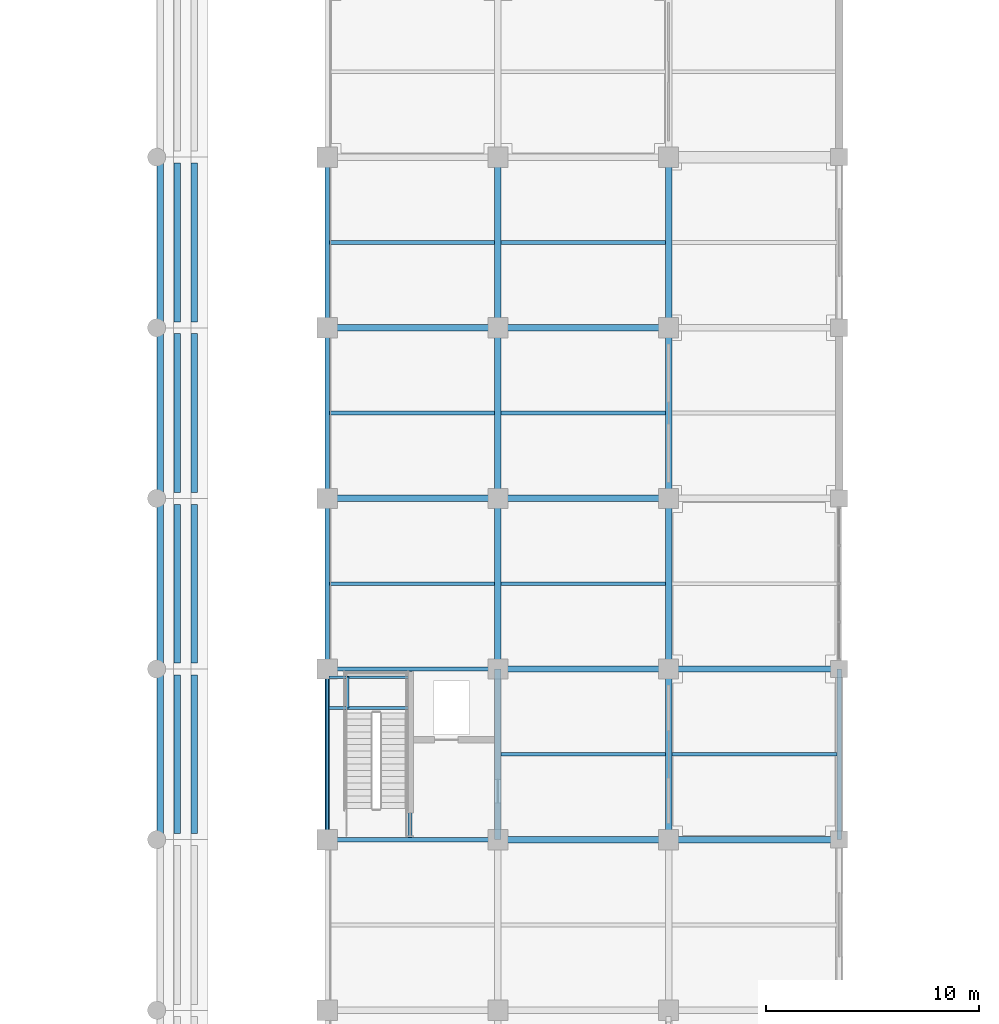
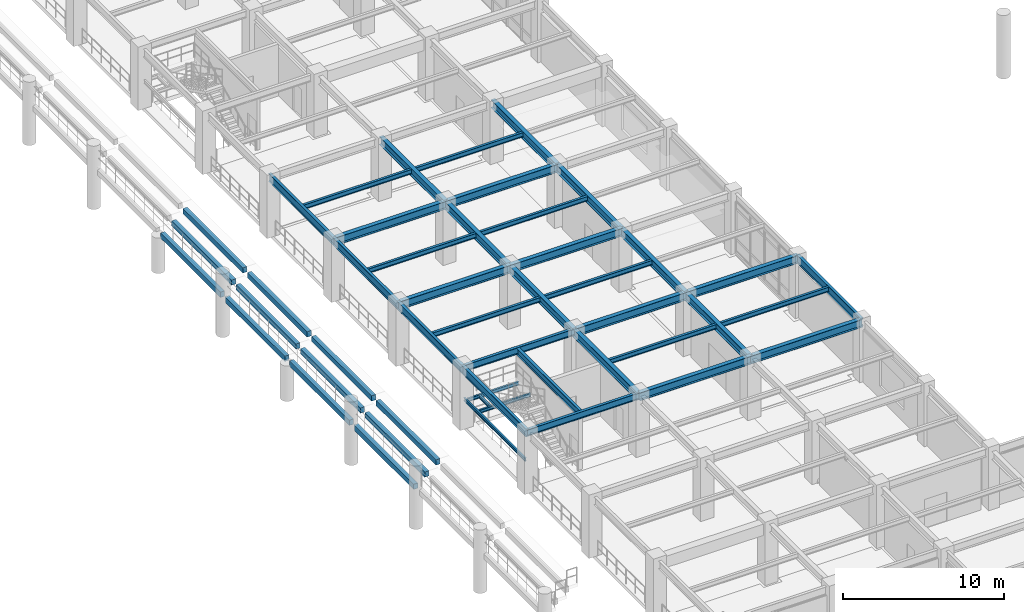
# One storey, part 30 of 109: 48 beams.
"""IFC4 building model written with IfcOpenShell, lengths in metres."""

from ifc_helpers import new_model, si_unit, direction, frame, origin, origin_2d, place, context, subcontext, project, spatial, rectangle, i_section, extrude, material, material_profile, profile_set, type_object, element, save


model = new_model("IFC4")

# Units and contexts
model_context = context("Model", 3, precision=1e-05, world=origin(), true_north=direction((0.0, 1.0)))
body_context = subcontext(model_context, "Body", "Model", "MODEL_VIEW")
ifc_project = project(units=[si_unit("LENGTHUNIT", "METRE"), si_unit("AREAUNIT", "SQUARE_METRE"), si_unit("VOLUMEUNIT", "CUBIC_METRE"), si_unit("PLANEANGLEUNIT", "RADIAN"), si_unit("MASSUNIT", "GRAM", prefix="KILO")], contexts=[model_context])

# Site, building, storey
site_placement = place(None, origin())
site = spatial("IfcSite", under=ifc_project, at=site_placement, CompositionType="ELEMENT")
building_placement = place(site_placement, origin())
building = spatial("IfcBuilding", under=site, at=building_placement, Name="Haebicheon Civic Stadium", CompositionType="ELEMENT")
storey_placement = place(building_placement, frame((0.0, 0.0, 9.60009765625)))
storey = spatial("IfcBuildingStorey", under=building, at=storey_placement, Name="L03", CompositionType="ELEMENT", Elevation=9.60009765625)

# Beams
ifc_material_1 = material(Name="Precast concrete C40/50", Category="concrete")
ifc_material_profile_1 = material_profile(ifc_material_1, rectangle(XDim=0.300048828125, YDim=0.39990234375, at=origin_2d()), Name="PC-LN-300x400")
ifc_profile_set_1 = profile_set([ifc_material_profile_1], Name="Precast concrete C40/50")
beam_type_1 = type_object("IfcBeamType", Name="BM-LN-300x400", PredefinedType="LINTEL", material=ifc_profile_set_1)
for number, where, z_axis, x_axis, name in (
    (1, (136.159912109375, 64.280029296875, 2.760009765625), (0.0, 1.0, 0.0), (-1.0, 0.0, 0.0), "TIER-E-U precast step carrier beam 3.1"),
    (2, (136.9599609375, 64.280029296875, 3.40380859375), (0.0, 1.0, 0.0), (-1.0, 0.0, 0.0), "TIER-E-U precast step carrier beam 3.2"),
    (3, (137.760009765625, 64.280029296875, 4.048828125), (0.0, 1.0, 0.0), (-1.0, 0.0, 0.0), "TIER-E-U precast step carrier beam 3.3"),
    (4, (136.159912109375, 72.280029296875, 2.760009765625), (0.0, 1.0, 0.0), (-1.0, 0.0, 0.0), "TIER-E-U precast step carrier beam 4.1"),
    (5, (136.9599609375, 72.280029296875, 3.40380859375), (0.0, 1.0, 0.0), (-1.0, 0.0, 0.0), "TIER-E-U precast step carrier beam 4.2"),
    (6, (137.760009765625, 72.280029296875, 4.048828125), (0.0, 1.0, 0.0), (-1.0, 0.0, 0.0), "TIER-E-U precast step carrier beam 4.3"),
    (7, (136.159912109375, 80.280029296875, 2.760009765625), (0.0, 1.0, 0.0), (-1.0, 0.0, 0.0), "TIER-E-U precast step carrier beam 5.1"),
    (8, (136.9599609375, 80.280029296875, 3.40380859375), (0.0, 1.0, 0.0), (-1.0, 0.0, 0.0), "TIER-E-U precast step carrier beam 5.2"),
    (9, (137.760009765625, 80.280029296875, 4.048828125), (0.0, 1.0, 0.0), (-1.0, 0.0, 0.0), "TIER-E-U precast step carrier beam 5.3"),
    (10, (136.159912109375, 88.280029296875, 2.760009765625), (0.0, 1.0, 0.0), (-1.0, 0.0, 0.0), "TIER-E-U precast step carrier beam 6.1"),
    (11, (136.9599609375, 88.280029296875, 3.40380859375), (0.0, 1.0, 0.0), (-1.0, 0.0, 0.0), "TIER-E-U precast step carrier beam 6.2"),
    (12, (137.760009765625, 88.280029296875, 4.048828125), (0.0, 1.0, 0.0), (-1.0, 0.0, 0.0), "TIER-E-U precast step carrier beam 6.3"),
):
    element("IfcBeam", number, at=place(storey_placement, frame(where, z_axis=z_axis, x_axis=x_axis)), inside=storey, type_object=beam_type_1, material=ifc_profile_set_1, Name=name, PredefinedType="LINTEL", context=body_context, shape_type="SweptSolid", body=[
        extrude(rectangle(XDim=0.300048828125, YDim=0.39990234375, at=origin_2d()), origin(), (0.0, 0.0, 1.0), 7.43994140625),
    ])
ifc_material_2 = material(Name="Steel SM355 (S355)", Category="steel")
ifc_material_profile_2 = material_profile(ifc_material_2, i_section(OverallWidth=0.199951171875, OverallDepth=0.5, WebThickness=0.010009765625, FlangeThickness=0.01611328125, at=origin_2d()), Name="H-500x200x10x16")
ifc_profile_set_2 = profile_set([ifc_material_profile_2], Name="Steel SM355 (S355)")
beam_type_2 = type_object("IfcBeamType", Name="BM-ST-H500", PredefinedType="BEAM", material=ifc_profile_set_2)
for number, where, z_axis, x_axis, name in (
    (13, (144.0, 64.0, 4.289794921875), (1.0, 0.0, 0.0), (0.0, 1.0, 0.0), "L03 beam J/19-20"),
    (14, (144.0, 72.0, 4.289794921875), (1.0, 0.0, 0.0), (0.0, 1.0, 0.0), "L03 beam K/19-20"),
):
    element("IfcBeam", number, at=place(storey_placement, frame(where, z_axis=z_axis, x_axis=x_axis)), inside=storey, type_object=beam_type_2, material=ifc_profile_set_2, Name=name, PredefinedType="BEAM", context=body_context, shape_type="SweptSolid", body=[
        extrude(i_section(OverallWidth=0.199951171875, OverallDepth=0.5, WebThickness=0.010009765625, FlangeThickness=0.01611328125, at=origin_2d()), origin(), (0.0, 0.0, 1.0), 8.0),
    ])
beam_1_placement = place(storey_placement, frame((147.8798828125, 64.10009765625, 4.289794921875), z_axis=(0.0, 1.0, 0.0), x_axis=(-1.0, 0.0, 0.0)))
element("IfcBeam", 15, at=beam_1_placement, inside=storey, type_object=beam_type_2, material=ifc_profile_set_2, Name="L03 KC-10 core dividing wall support beam", PredefinedType="BEAM", context=body_context, shape_type="SweptSolid", body=[
    extrude(i_section(OverallWidth=0.199951171875, OverallDepth=0.5, WebThickness=0.010009765625, FlangeThickness=0.01611328125, at=origin_2d()), origin(), (0.0, 0.0, 1.0), 7.7998046875),
])
ifc_material_3 = material(Name="Steel SM355 (S355)", Category="steel")
ifc_material_profile_3 = material_profile(ifc_material_3, i_section(OverallWidth=0.300048828125, OverallDepth=0.60009765625, WebThickness=0.011962890625, FlangeThickness=0.02001953125, at=origin_2d()), Name="H-600x300x12x20")
ifc_profile_set_3 = profile_set([ifc_material_profile_3], Name="Steel SM355 (S355)")
beam_type_3 = type_object("IfcBeamType", Name="BM-ST-H600A", PredefinedType="BEAM", material=ifc_profile_set_3)
for number, where, z_axis, x_axis, name in (
    (16, (152.0, 64.0, 4.239990234375), (0.0, 1.0, 0.0), (-1.0, 0.0, 0.0), "L03 girder 20/J-K"),
    (17, (152.0, 72.0, 4.239990234375), (0.0, 1.0, 0.0), (-1.0, 0.0, 0.0), "L03 girder 20/K-L"),
    (18, (152.0, 80.0, 4.239990234375), (0.0, 1.0, 0.0), (-1.0, 0.0, 0.0), "L03 girder 20/L-M"),
    (19, (152.0, 88.0, 4.239990234375), (0.0, 1.0, 0.0), (-1.0, 0.0, 0.0), "L03 girder 20/M-N"),
    (20, (160.0, 64.0, 4.239990234375), (0.0, 1.0, 0.0), (-1.0, 0.0, 0.0), "L03 girder 21/J-K"),
    (21, (160.0, 72.0, 4.239990234375), (0.0, 1.0, 0.0), (-1.0, 0.0, 0.0), "L03 girder 21/K-L"),
    (22, (160.0, 80.0, 4.239990234375), (0.0, 1.0, 0.0), (-1.0, 0.0, 0.0), "L03 girder 21/L-M"),
    (23, (160.0, 88.0, 4.239990234375), (0.0, 1.0, 0.0), (-1.0, 0.0, 0.0), "L03 girder 21/M-N"),
    (24, (144.0, 80.0, 4.239990234375), (1.0, 0.0, 0.0), (0.0, 1.0, 0.0), "L03 beam L/19-20"),
    (25, (144.0, 88.0, 4.239990234375), (1.0, 0.0, 0.0), (0.0, 1.0, 0.0), "L03 beam M/19-20"),
    (26, (152.0, 64.0, 4.239990234375), (1.0, 0.0, 0.0), (0.0, 1.0, 0.0), "L03 beam J/20-21"),
    (27, (152.0, 72.0, 4.239990234375), (1.0, 0.0, 0.0), (0.0, 1.0, 0.0), "L03 beam K/20-21"),
    (28, (152.0, 80.0, 4.239990234375), (1.0, 0.0, 0.0), (0.0, 1.0, 0.0), "L03 beam L/20-21"),
    (29, (152.0, 88.0, 4.239990234375), (1.0, 0.0, 0.0), (0.0, 1.0, 0.0), "L03 beam M/20-21"),
    (30, (160.0, 64.0, 4.239990234375), (1.0, 0.0, 0.0), (0.0, 1.0, 0.0), "L03 beam J/21-22"),
    (31, (160.0, 72.0, 4.239990234375), (1.0, 0.0, 0.0), (0.0, 1.0, 0.0), "L03 beam K/21-22"),
):
    element("IfcBeam", number, at=place(storey_placement, frame(where, z_axis=z_axis, x_axis=x_axis)), inside=storey, type_object=beam_type_3, material=ifc_profile_set_3, Name=name, PredefinedType="BEAM", context=body_context, shape_type="SweptSolid", body=[
        extrude(i_section(OverallWidth=0.300048828125, OverallDepth=0.60009765625, WebThickness=0.011962890625, FlangeThickness=0.02001953125, at=origin_2d()), origin(), (0.0, 0.0, 1.0), 8.0),
    ])
ifc_material_4 = material(Name="Steel SM355 (S355)", Category="steel")
ifc_material_profile_4 = material_profile(ifc_material_4, i_section(OverallWidth=0.125, OverallDepth=0.25, WebThickness=0.006103515625, FlangeThickness=0.009033203125, at=origin_2d()), Name="H-250x125x6x9")
ifc_profile_set_4 = profile_set([ifc_material_profile_4], Name="Steel SM355 (S355)")
beam_type_4 = type_object("IfcBeamType", Name="JST-ST-H250", PredefinedType="JOIST", material=ifc_profile_set_4)
beam_2_placement = place(storey_placement, frame((144.0, 64.199951171875, 2.072021484375), z_axis=(0.0, 1.0, 0.0), x_axis=(-1.0, 0.0, 0.0)))
element("IfcBeam", 32, at=beam_2_placement, inside=storey, type_object=beam_type_4, material=ifc_profile_set_4, Name="KC-10 L03 stair west grid landing carrier beam", PredefinedType="JOIST", context=body_context, shape_type="SweptSolid", body=[
    extrude(i_section(OverallWidth=0.125, OverallDepth=0.25, WebThickness=0.006103515625, FlangeThickness=0.009033203125, at=origin_2d()), origin(), (0.0, 0.0, 1.0), 7.60009765625),
])
for number, where, z_axis, x_axis, name in (
    (33, (144.080078125, 70.169921875, 2.072021484375), (1.0, 0.0, 0.0), (0.0, 1.0, 0.0), "KC-10 L03 stair half-landing front trimmer beam"),
    (34, (144.080078125, 71.6201171875, 2.072021484375), (1.0, 0.0, 0.0), (0.0, 1.0, 0.0), "KC-10 L03 stair half-landing rear trimmer beam"),
):
    element("IfcBeam", number, at=place(storey_placement, frame(where, z_axis=z_axis, x_axis=x_axis)), inside=storey, type_object=beam_type_4, material=ifc_profile_set_4, Name=name, PredefinedType="JOIST", context=body_context, shape_type="SweptSolid", body=[
        extrude(i_section(OverallWidth=0.125, OverallDepth=0.25, WebThickness=0.006103515625, FlangeThickness=0.009033203125, at=origin_2d()), origin(), (0.0, 0.0, 1.0), 3.719970703125),
    ])
beam_3_placement = place(storey_placement, frame((144.9599609375, 70.169921875, 2.072021484375), z_axis=(0.0, 1.0, 0.0), x_axis=(-1.0, 0.0, 0.0)))
element("IfcBeam", 35, at=beam_3_placement, inside=storey, type_object=beam_type_4, material=ifc_profile_set_4, Name="KC-10 L03 stair half-landing transverse tie beam", PredefinedType="JOIST", context=body_context, shape_type="SweptSolid", body=[
    extrude(i_section(OverallWidth=0.125, OverallDepth=0.25, WebThickness=0.006103515625, FlangeThickness=0.009033203125, at=origin_2d()), origin(), (0.0, 0.0, 1.0), 1.4501953125),
])
ifc_material_5 = material(Name="Steel SM355 (S355)", Category="steel")
ifc_material_profile_5 = material_profile(ifc_material_5, i_section(OverallWidth=0.175048828125, OverallDepth=0.35009765625, WebThickness=0.007080078125, FlangeThickness=0.010986328125, at=origin_2d()), Name="H-350x175x7x11")
ifc_profile_set_5 = profile_set([ifc_material_profile_5], Name="Steel SM355 (S355)")
beam_type_5 = type_object("IfcBeamType", Name="JST-ST-H350", PredefinedType="JOIST", material=ifc_profile_set_5)
for number, where, z_axis, x_axis, name in (
    (36, (144.10009765625, 76.0, 4.364990234375), (1.0, 0.0, 0.0), (0.0, 1.0, 0.0), "L03 secondary joist 18-09"),
    (37, (144.10009765625, 84.0, 4.364990234375), (1.0, 0.0, 0.0), (0.0, 1.0, 0.0), "L03 secondary joist 18-10"),
    (38, (144.10009765625, 92.0, 4.364990234375), (1.0, 0.0, 0.0), (0.0, 1.0, 0.0), "L03 secondary joist 18-11"),
):
    element("IfcBeam", number, at=place(storey_placement, frame(where, z_axis=z_axis, x_axis=x_axis)), inside=storey, type_object=beam_type_5, material=ifc_profile_set_5, Name=name, PredefinedType="JOIST", context=body_context, shape_type="SweptSolid", body=[
        extrude(i_section(OverallWidth=0.175048828125, OverallDepth=0.35009765625, WebThickness=0.007080078125, FlangeThickness=0.010986328125, at=origin_2d()), origin(), (0.0, 0.0, 1.0), 7.75),
    ])
for number, where, z_axis, x_axis, name in (
    (39, (152.14990234375, 68.0, 4.364990234375), (1.0, 0.0, 0.0), (0.0, 1.0, 0.0), "L03 secondary joist 19-08"),
    (40, (152.14990234375, 76.0, 4.364990234375), (1.0, 0.0, 0.0), (0.0, 1.0, 0.0), "L03 secondary joist 19-09"),
    (41, (152.14990234375, 84.0, 4.364990234375), (1.0, 0.0, 0.0), (0.0, 1.0, 0.0), "L03 secondary joist 19-10"),
    (42, (152.14990234375, 92.0, 4.364990234375), (1.0, 0.0, 0.0), (0.0, 1.0, 0.0), "L03 secondary joist 19-11"),
):
    element("IfcBeam", number, at=place(storey_placement, frame(where, z_axis=z_axis, x_axis=x_axis)), inside=storey, type_object=beam_type_5, material=ifc_profile_set_5, Name=name, PredefinedType="JOIST", context=body_context, shape_type="SweptSolid", body=[
        extrude(i_section(OverallWidth=0.175048828125, OverallDepth=0.35009765625, WebThickness=0.007080078125, FlangeThickness=0.010986328125, at=origin_2d()), origin(), (0.0, 0.0, 1.0), 7.7001953125),
    ])
beam_4_placement = place(storey_placement, frame((160.14990234375, 68.0, 4.364990234375), z_axis=(1.0, 0.0, 0.0), x_axis=(0.0, 1.0, 0.0)))
element("IfcBeam", 43, at=beam_4_placement, inside=storey, type_object=beam_type_5, material=ifc_profile_set_5, Name="L03 secondary joist 20-08", PredefinedType="JOIST", context=body_context, shape_type="SweptSolid", body=[
    extrude(i_section(OverallWidth=0.175048828125, OverallDepth=0.35009765625, WebThickness=0.007080078125, FlangeThickness=0.010986328125, at=origin_2d()), origin(), (0.0, 0.0, 1.0), 7.75),
])
ifc_material_6 = material(Name="Steel SM355 (S355)", Category="steel")
ifc_material_profile_6 = material_profile(ifc_material_6, i_section(OverallWidth=0.199951171875, OverallDepth=0.60009765625, WebThickness=0.010986328125, FlangeThickness=0.01708984375, at=origin_2d()), Name="H-600x200x11x17")
ifc_profile_set_6 = profile_set([ifc_material_profile_6], Name="Steel SM355 (S355)")
beam_type_6 = type_object("IfcBeamType", Name="SPD-ST-H600B", PredefinedType="SPANDREL", material=ifc_profile_set_6)
for number, where, z_axis, x_axis, name in (
    (44, (144.0, 64.0, 4.239990234375), (0.0, 1.0, 0.0), (-1.0, 0.0, 0.0), "L03 girder 19/J-K"),
    (45, (144.0, 72.0, 4.239990234375), (0.0, 1.0, 0.0), (-1.0, 0.0, 0.0), "L03 girder 19/K-L"),
    (46, (144.0, 80.0, 4.239990234375), (0.0, 1.0, 0.0), (-1.0, 0.0, 0.0), "L03 girder 19/L-M"),
    (47, (144.0, 88.0, 4.239990234375), (0.0, 1.0, 0.0), (-1.0, 0.0, 0.0), "L03 girder 19/M-N"),
    (48, (168.0, 64.0, 4.239990234375), (0.0, 1.0, 0.0), (-1.0, 0.0, 0.0), "L03 girder 22/J-K"),
):
    element("IfcBeam", number, at=place(storey_placement, frame(where, z_axis=z_axis, x_axis=x_axis)), inside=storey, type_object=beam_type_6, material=ifc_profile_set_6, Name=name, PredefinedType="SPANDREL", context=body_context, shape_type="SweptSolid", body=[
        extrude(i_section(OverallWidth=0.199951171875, OverallDepth=0.60009765625, WebThickness=0.010986328125, FlangeThickness=0.01708984375, at=origin_2d()), origin(), (0.0, 0.0, 1.0), 8.0),
    ])

save(model, "model.ifc")
